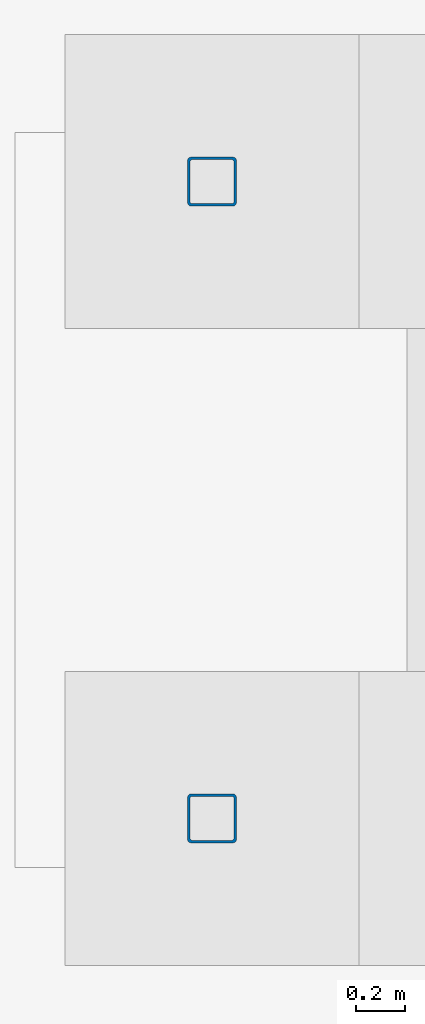
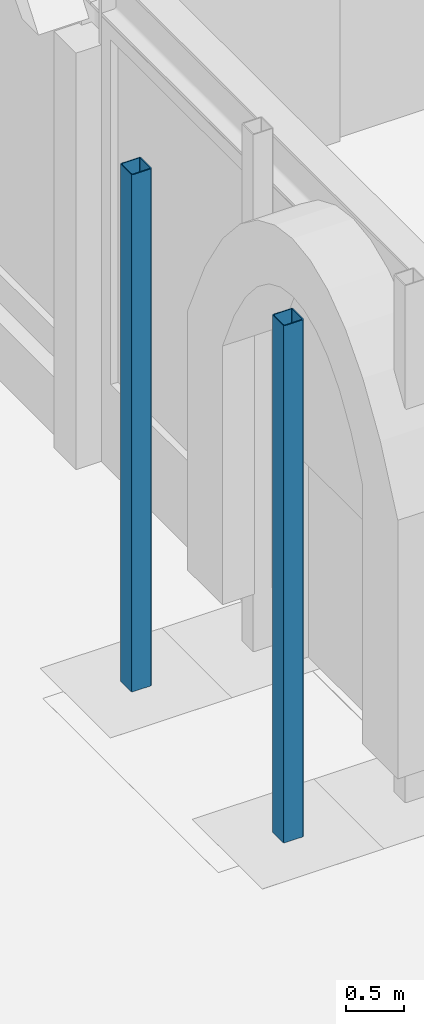
# One storey, part 8 of 126: 2 columns.
"""IFC4 building model written with IfcOpenShell, lengths in metres."""

from ifc_helpers import new_model, si_unit, direction, frame, origin, origin_2d, place, context, subcontext, project, spatial, hollow_rectangle, extrude, material, material_profile, profile_set, type_object, element, save


model = new_model("IFC4")

# Units and contexts
model_context = context("Model", 3, precision=1e-05, world=origin(), true_north=direction((0.0, 1.0)))
body_context = subcontext(model_context, "Body", "Model", "MODEL_VIEW")
ifc_project = project(units=[si_unit("LENGTHUNIT", "METRE"), si_unit("AREAUNIT", "SQUARE_METRE"), si_unit("VOLUMEUNIT", "CUBIC_METRE"), si_unit("PLANEANGLEUNIT", "RADIAN"), si_unit("MASSUNIT", "GRAM", prefix="KILO")], contexts=[model_context])

# Site, building, storey
site_placement = place(None, origin())
site = spatial("IfcSite", under=ifc_project, at=site_placement, CompositionType="ELEMENT")
building_placement = place(site_placement, origin())
building = spatial("IfcBuilding", under=site, at=building_placement, Name="Kallimachos Central Library", CompositionType="ELEMENT")
storey_placement = place(building_placement, origin())
storey = spatial("IfcBuildingStorey", under=building, at=storey_placement, Name="L00", CompositionType="ELEMENT", Elevation=0.0)

# Columns
ifc_material = material(Name="Steel S355J2H", Category="steel")
ifc_material_profile = material_profile(ifc_material, hollow_rectangle(XDim=0.199951171875, YDim=0.199951171875, WallThickness=0.010009765625, InnerFilletRadius=0.010009765625, OuterFilletRadius=0.014892578125, at=origin_2d()), Name="SHS 200x200x10")
ifc_profile_set = profile_set([ifc_material_profile], Name="Steel S355J2H")
column_type = type_object("IfcColumnType", Name="SHS 200x200x10 column", PredefinedType="COLUMN", material=ifc_profile_set)
for number, where, z_axis, x_axis, name in (
    (1, (63.949951171875, 60.199951171875, 0.0), (0.0, 0.0, 1.0), (1.0, 0.0, 0.0), "Tribune bay W1 column 3"),
    (2, (63.949951171875, 62.800048828125, 0.0), (0.0, 0.0, 1.0), (1.0, 0.0, 0.0), "Tribune bay W1 column 4"),
):
    element("IfcColumn", number, at=place(storey_placement, frame(where, z_axis=z_axis, x_axis=x_axis)), inside=storey, type_object=column_type, Name=name, PredefinedType="COLUMN", context=body_context, shape_type="SweptSolid", body=[
        extrude(hollow_rectangle(XDim=0.199951171875, YDim=0.199951171875, WallThickness=0.010009765625, InnerFilletRadius=0.010009765625, OuterFilletRadius=0.014892578125, at=origin_2d()), origin(), (0.0, 0.0, 1.0), 5.39990234375),
    ])

save(model, "model.ifc")
